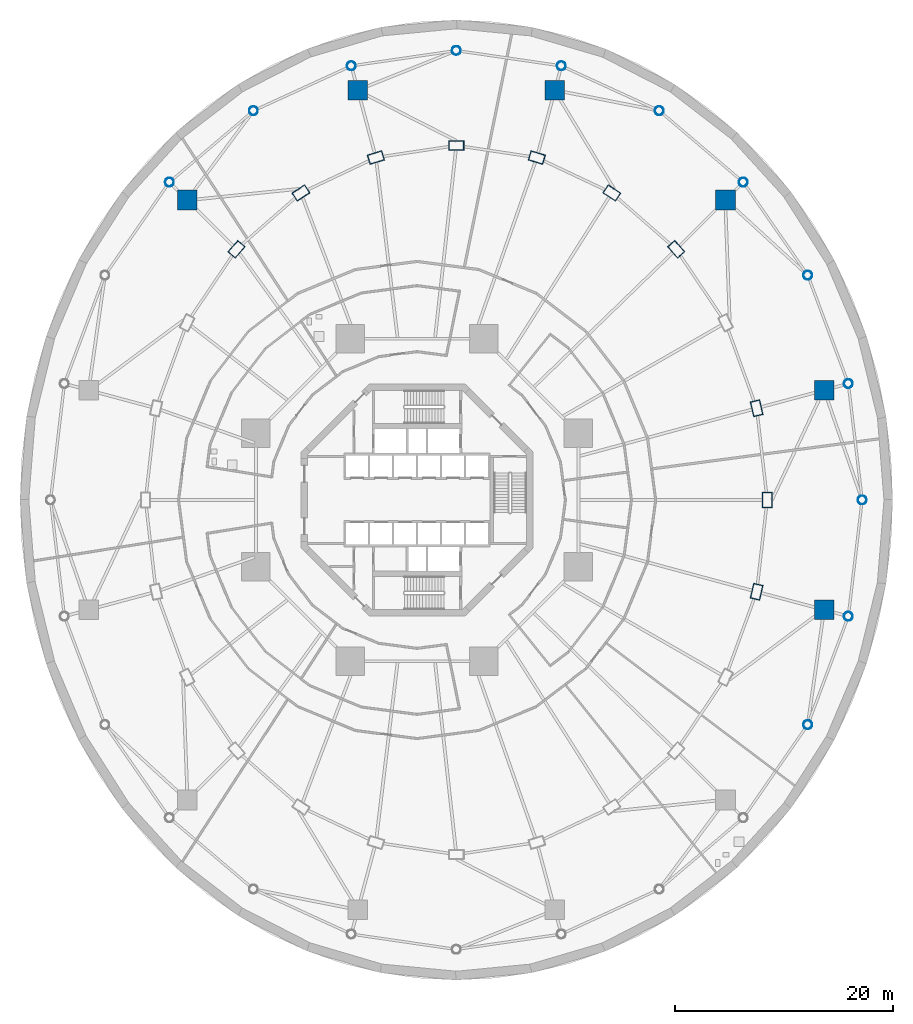
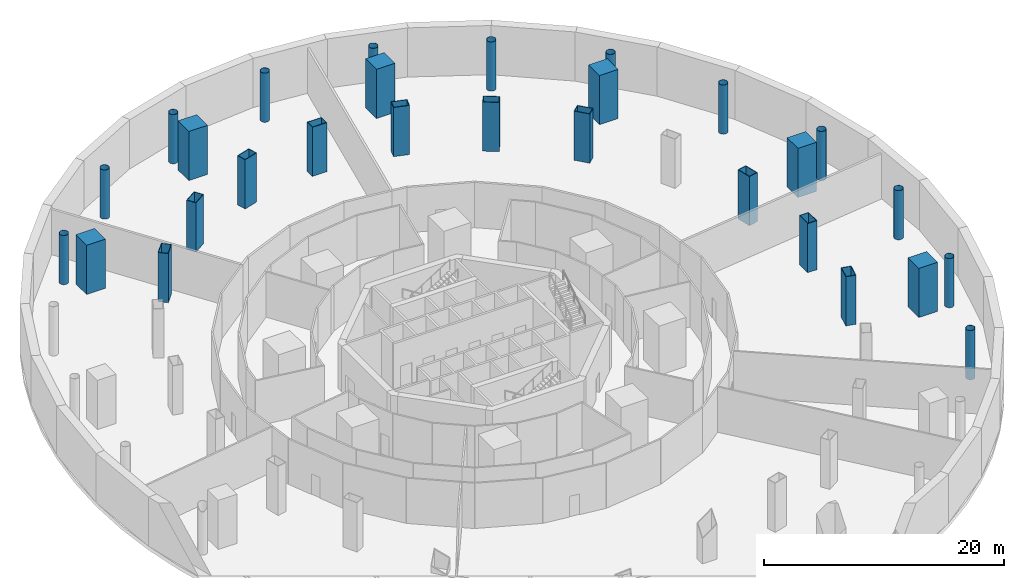
# One storey, part 2 of 14: 28 columns.
"""IFC4 building model written with IfcOpenShell, lengths in metres."""

from ifc_helpers import new_model, si_unit, direction, frame, origin, origin_2d, place, context, subcontext, project, spatial, rectangle, hollow_rectangle, hollow_circle, extrude, material, material_profile, profile_set, type_object, element, save


model = new_model("IFC4")

# Units and contexts
model_context = context("Model", 3, precision=1e-05, world=origin(), true_north=direction((0.0, 1.0)))
body_context = subcontext(model_context, "Body", "Model", "MODEL_VIEW")
ifc_project = project(units=[si_unit("LENGTHUNIT", "METRE"), si_unit("AREAUNIT", "SQUARE_METRE"), si_unit("VOLUMEUNIT", "CUBIC_METRE"), si_unit("PLANEANGLEUNIT", "RADIAN"), si_unit("MASSUNIT", "GRAM", prefix="KILO")], contexts=[model_context])

# Site, building, storey
site_placement = place(None, origin())
site = spatial("IfcSite", under=ifc_project, at=site_placement, CompositionType="ELEMENT")
building_placement = place(site_placement, origin())
building = spatial("IfcBuilding", under=site, at=building_placement, Name="Nagisa Residences", CompositionType="ELEMENT")
storey_placement = place(building_placement, frame((0.0, 0.0, -5.0)))
storey = spatial("IfcBuildingStorey", under=building, at=storey_placement, Name="B1", CompositionType="ELEMENT", Elevation=-5.0)

# Columns
ifc_material_1 = material(Name="Steel ASTM A572 Gr 65", Category="steel")
ifc_material_profile_1 = material_profile(ifc_material_1, hollow_circle(Radius=0.406494140625, WallThickness=0.02490234375, at=origin_2d()), Name="CHS 813x25")
ifc_profile_set_1 = profile_set([ifc_material_profile_1], Name="Steel ASTM A572 Gr 65")
column_type_1 = type_object("IfcColumnType", Name="Atrium column CHS 813x25", PredefinedType="COLUMN", material=ifc_profile_set_1)
for number, where, z_axis, x_axis, name in (
    (1, (40.800048828125, 0.0, 0.0), (0.0, 0.0, 1.0), (1.0, 0.0, 0.0), "col:B1:a00"),
    (2, (39.532470703125, 10.663330078125, 0.0), (0.0, 0.0, 1.0), (1.0, 0.0, 0.0), "col:B1:a01"),
    (3, (35.816162109375, 20.60009765625, 0.0), (0.0, 0.0, 1.0), (1.0, 0.0, 0.0), "col:B1:a02"),
    (4, (29.904296875, 29.1328125, 0.0), (0.0, 0.0, 1.0), (1.0, 0.0, 0.0), "col:B1:a03"),
    (5, (22.199951171875, 35.68017578125, 0.0), (0.0, 0.0, 1.0), (1.0, 0.0, 0.0), "col:B1:a04"),
    (6, (13.22802734375, 39.796142578125, 0.0), (0.0, 0.0, 1.0), (1.0, 0.0, 0.0), "col:B1:a05"),
    (7, (3.60009765625, 41.199951171875, 0.0), (0.0, 0.0, 1.0), (1.0, 0.0, 0.0), "col:B1:a06"),
    (8, (-6.028076171875, 39.796142578125, 0.0), (0.0, 0.0, 1.0), (1.0, 0.0, 0.0), "col:B1:a07"),
    (9, (-15.0, 35.68017578125, 0.0), (0.0, 0.0, 1.0), (1.0, 0.0, 0.0), "col:B1:a08"),
    (10, (-22.704345703125, 29.1328125, 0.0), (0.0, 0.0, 1.0), (1.0, 0.0, 0.0), "col:B1:a09"),
    (11, (35.816162109375, -20.60009765625, 0.0), (0.0, 0.0, 1.0), (1.0, 0.0, 0.0), "col:B1:a22"),
    (12, (39.532470703125, -10.663330078125, 0.0), (0.0, 0.0, 1.0), (1.0, 0.0, 0.0), "col:B1:a23"),
):
    element("IfcColumn", number, at=place(storey_placement, frame(where, z_axis=z_axis, x_axis=x_axis)), inside=storey, type_object=column_type_1, Name=name, PredefinedType="COLUMN", context=body_context, shape_type="SweptSolid", body=[
        extrude(hollow_circle(Radius=0.406494140625, WallThickness=0.02490234375, at=origin_2d()), origin(), (0.0, 0.0, 1.0), 5.0),
    ])
ifc_material_2 = material(Name="Concrete C80", Category="concrete")
ifc_material_profile_2 = material_profile(ifc_material_2, rectangle(XDim=1.800048828125, YDim=1.800048828125, at=origin_2d()), Name="C80 1800x1800")
ifc_profile_set_2 = profile_set([ifc_material_profile_2], Name="Concrete C80")
column_type_2 = type_object("IfcColumnType", Name="Cage foot column C80 1800x1800", PredefinedType="COLUMN", material=ifc_profile_set_2)
for number, where, z_axis, x_axis, name in (
    (13, (37.310791015625, 10.068115234375, 0.0), (0.0, 0.0, 1.0), (1.0, 0.0, 0.0), "col:B1:f01"),
    (14, (28.278076171875, 27.50634765625, 0.0), (0.0, 0.0, 1.0), (1.0, 0.0, 0.0), "col:B1:f02"),
    (15, (12.6328125, 37.574462890625, 0.0), (0.0, 0.0, 1.0), (1.0, 0.0, 0.0), "col:B1:f03"),
    (16, (-5.432861328125, 37.574462890625, 0.0), (0.0, 0.0, 1.0), (1.0, 0.0, 0.0), "col:B1:f04"),
    (17, (-21.078125, 27.50634765625, 0.0), (0.0, 0.0, 1.0), (1.0, 0.0, 0.0), "col:B1:f05"),
    (18, (37.310791015625, -10.068115234375, 0.0), (0.0, 0.0, 1.0), (1.0, 0.0, 0.0), "col:B1:f12"),
):
    element("IfcColumn", number, at=place(storey_placement, frame(where, z_axis=z_axis, x_axis=x_axis)), inside=storey, type_object=column_type_2, Name=name, PredefinedType="COLUMN", context=body_context, shape_type="SweptSolid", body=[
        extrude(rectangle(XDim=1.800048828125, YDim=1.800048828125, at=origin_2d()), origin(), (0.0, 0.0, 1.0), 5.0),
    ])
ifc_material_3 = material(Name="Steel ASTM A572 Gr 50", Category="steel")
ifc_material_profile_3 = material_profile(ifc_material_3, hollow_rectangle(XDim=1.39990234375, YDim=0.89990234375, WallThickness=0.050048828125, at=origin_2d()), Name="BX 1400x900x50")
ifc_profile_set_3 = profile_set([ifc_material_profile_3], Name="Steel ASTM A572 Gr 50")
column_type_3 = type_object("IfcColumnType", Name="Perimeter column BX 1400x900x50", PredefinedType="COLUMN", material=ifc_profile_set_3)
for number, where, z_axis, x_axis, name in (
    (19, (32.10009765625, 0.0, 0.0), (0.0, 0.0, 1.0), (0.0, 1.0, 0.0), "col:B1:p00"),
    (20, (31.12890625, 8.41162109375, 0.0), (0.0, 0.0, 1.0), (-0.229202013103, 0.973378876486, 0.0), "col:B1:p01"),
    (21, (23.75244140625, 22.98095703125, 0.0), (0.0, 0.0, 1.0), (-0.660114607735, 0.751164898445, 0.0), "col:B1:p03"),
    (22, (17.85009765625, 28.145751953125, 0.0), (0.0, 0.0, 1.0), (-0.835766105673, 0.54908561865, 0.0), "col:B1:p04"),
    (23, (10.976318359375, 31.392578125, 0.0), (0.0, 0.0, 1.0), (-0.956524583408, 0.291651712384, 0.0), "col:B1:p05"),
    (24, (3.60009765625, 32.5, 0.0), (0.0, 0.0, 1.0), (-1.0, 0.0, 0.0), "col:B1:p06"),
    (25, (-3.7763671875, 31.392578125, 0.0), (0.0, 0.0, 1.0), (-0.956524583408, -0.291651712384, 0.0), "col:B1:p07"),
    (26, (-10.64990234375, 28.145751953125, 0.0), (0.0, 0.0, 1.0), (-0.835766105673, -0.54908561865, 0.0), "col:B1:p08"),
    (27, (-16.552490234375, 22.98095703125, 0.0), (0.0, 0.0, 1.0), (-0.660114607735, -0.751164898445, 0.0), "col:B1:p09"),
    (28, (31.12890625, -8.41162109375, 0.0), (0.0, 0.0, 1.0), (0.229202013103, 0.973378876486, 0.0), "col:B1:p23"),
):
    element("IfcColumn", number, at=place(storey_placement, frame(where, z_axis=z_axis, x_axis=x_axis)), inside=storey, type_object=column_type_3, Name=name, PredefinedType="COLUMN", context=body_context, shape_type="SweptSolid", body=[
        extrude(hollow_rectangle(XDim=1.39990234375, YDim=0.89990234375, WallThickness=0.050048828125, at=origin_2d()), origin(), (0.0, 0.0, 1.0), 5.0),
    ])

save(model, "model.ifc")
